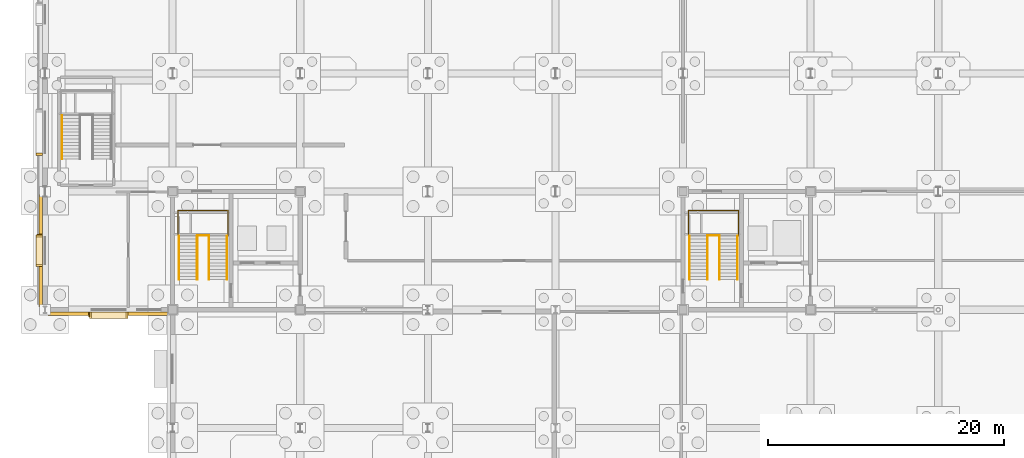
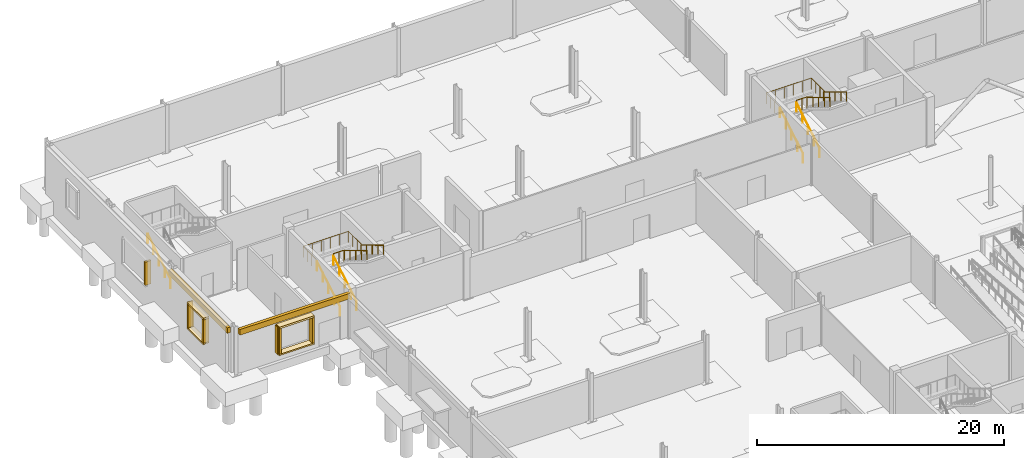
# One storey, part 68 of 73: 13 railings, 11 coverings, 2 shading devices.
"""IFC4 building model written with IfcOpenShell, lengths in metres."""

from ifc_helpers import new_model, si_unit, direction, frame, origin, origin_2d, place, context, subcontext, project, spatial, rectangle, circle, extrude, material, layer, layer_set, type_object, element, save


model = new_model("IFC4")

# Units and contexts
model_context = context("Model", 3, precision=1e-05, world=origin(), true_north=direction((0.0, 1.0)))
body_context = subcontext(model_context, "Body", "Model", "MODEL_VIEW")
ifc_project = project(units=[si_unit("LENGTHUNIT", "METRE"), si_unit("AREAUNIT", "SQUARE_METRE"), si_unit("VOLUMEUNIT", "CUBIC_METRE"), si_unit("PLANEANGLEUNIT", "RADIAN"), si_unit("MASSUNIT", "GRAM", prefix="KILO")], contexts=[model_context])

# Site, building, storey
site_placement = place(None, origin())
site = spatial("IfcSite", under=ifc_project, at=site_placement, CompositionType="ELEMENT")
building_placement = place(site_placement, origin())
building = spatial("IfcBuilding", under=site, at=building_placement, Name="Tasgan Crest Museum", CompositionType="ELEMENT")
storey_placement = place(building_placement, origin())
storey = spatial("IfcBuildingStorey", under=building, at=storey_placement, Name="L00", CompositionType="ELEMENT", Elevation=0.0)

# Coverings
ifc_material_1 = material(Name="Honed Rose-Red Mongolian Granite", Category="masonry")
ifc_layer_1 = layer(ifc_material_1, 0.0400390625, Name="COV-GRANITE-ROSE")
ifc_layer_set_1 = layer_set([ifc_layer_1], Name="Honed Rose-Red Mongolian Granite")
covering_type_1 = type_object("IfcCoveringType", Name="COV-GRANITE-ROSE", PredefinedType="CLADDING", material=ifc_layer_set_1)
for number, where, z_axis, x_axis, name in (
    (1, (-0.5, 95.159912109375, 1.0), (0.0, 0.0, 1.0), (0.0, -1.0, 0.0), "Deep window reveal jamb L00-017"),
    (2, (-0.5, 88.239990234375, 1.0), (0.0, 0.0, 1.0), (0.0, -1.0, 0.0), "Deep window reveal jamb L00-018"),
    (3, (-0.5, 85.760009765625, 1.0), (0.0, 0.0, 1.0), (0.0, -1.0, 0.0), "Deep window reveal jamb L00-018"),
):
    element("IfcCovering", number, at=place(storey_placement, frame(where, z_axis=z_axis, x_axis=x_axis)), inside=storey, type_object=covering_type_1, Name=name, PredefinedType="CLADDING", context=body_context, shape_type="SweptSolid", body=[
        extrude(rectangle(XDim=0.179931640625, YDim=0.550048828125, at=origin_2d()), origin(), (0.0, 0.0, 1.0), 2.300048828125),
    ])
for number, where, z_axis, x_axis, name in (
    (4, (3.860107421875, 81.534912109375, 1.0), (0.0, 0.0, 1.0), (1.0, 0.0, 0.0), "Deep window reveal jamb L00-019"),
    (5, (6.93994140625, 81.534912109375, 1.0), (0.0, 0.0, 1.0), (1.0, 0.0, 0.0), "Deep window reveal jamb L00-019"),
):
    element("IfcCovering", number, at=place(storey_placement, frame(where, z_axis=z_axis, x_axis=x_axis)), inside=storey, type_object=covering_type_1, Name=name, PredefinedType="CLADDING", context=body_context, shape_type="SweptSolid", body=[
        extrude(rectangle(XDim=0.179931640625, YDim=0.550048828125, at=origin_2d()), origin(), (0.0, 0.0, 1.0), 2.5),
    ])
ifc_material_2 = material(Name="Honed Buff Limestone", Category="masonry")
ifc_layer_2 = layer(ifc_material_2, 0.044921875, Name="COV-LIMESTONE-BUFF")
ifc_layer_set_2 = layer_set([ifc_layer_2], Name="Honed Buff Limestone")
covering_type_2 = type_object("IfcCoveringType", Name="COV-LIMESTONE-BUFF", PredefinedType="CLADDING", material=ifc_layer_set_2)
covering_1_placement = place(storey_placement, frame((-0.364990234375, 87.0, 3.9599609375), z_axis=(0.0, 0.0, 1.0), x_axis=(0.0, -1.0, 0.0)))
element("IfcCovering", 6, at=covering_1_placement, inside=storey, type_object=covering_type_2, Name="Stone frieze cladding L00", PredefinedType="CLADDING", context=body_context, shape_type="SweptSolid", body=[
    extrude(rectangle(XDim=9.510009765625, YDim=0.280029296875, at=origin_2d()), origin(), (0.0, 0.0, 1.0), 0.550048828125),
])
covering_2_placement = place(storey_placement, frame((-0.5, 87.0, 3.2998046875), z_axis=(0.0, 0.0, 1.0), x_axis=(0.0, -1.0, 0.0)))
element("IfcCovering", 7, at=covering_2_placement, inside=storey, type_object=covering_type_2, Name="Deep window hood L00-018", PredefinedType="CLADDING", context=body_context, shape_type="SweptSolid", body=[
    extrude(rectangle(XDim=2.659912109375, YDim=0.550048828125, at=origin_2d()), origin(), (0.0, 0.0, 1.0), 0.179931640625),
])
covering_3_placement = place(storey_placement, frame((-0.5, 87.0, 0.85986328125), z_axis=(0.0, 0.0, 1.0), x_axis=(0.0, -1.0, 0.0)))
element("IfcCovering", 8, at=covering_3_placement, inside=storey, type_object=covering_type_2, Name="Deep window sill L00-018", PredefinedType="CLADDING", context=body_context, shape_type="SweptSolid", body=[
    extrude(rectangle(XDim=2.659912109375, YDim=0.550048828125, at=origin_2d()), origin(), (0.0, 0.0, 1.0), 0.139892578125),
])
covering_4_placement = place(storey_placement, frame((5.39990234375, 81.669921875, 3.958984375), z_axis=(0.0, 0.0, 1.0), x_axis=(1.0, 0.0, 0.0)))
element("IfcCovering", 9, at=covering_4_placement, inside=storey, type_object=covering_type_2, Name="Stone frieze cladding L00", PredefinedType="CLADDING", context=body_context, shape_type="SweptSolid", body=[
    extrude(rectangle(XDim=10.31005859375, YDim=0.280029296875, at=origin_2d()), origin(), (0.0, 0.0, 1.0), 0.551025390625),
])
covering_5_placement = place(storey_placement, frame((5.39990234375, 81.534912109375, 3.5), z_axis=(0.0, 0.0, 1.0), x_axis=(1.0, 0.0, 0.0)))
element("IfcCovering", 10, at=covering_5_placement, inside=storey, type_object=covering_type_2, Name="Deep window hood L00-019", PredefinedType="CLADDING", context=body_context, shape_type="SweptSolid", body=[
    extrude(rectangle(XDim=3.260009765625, YDim=0.550048828125, at=origin_2d()), origin(), (0.0, 0.0, 1.0), 0.179931640625),
])
covering_6_placement = place(storey_placement, frame((5.39990234375, 81.534912109375, 0.85986328125), z_axis=(0.0, 0.0, 1.0), x_axis=(1.0, 0.0, 0.0)))
element("IfcCovering", 11, at=covering_6_placement, inside=storey, type_object=covering_type_2, Name="Deep window sill L00-019", PredefinedType="CLADDING", context=body_context, shape_type="SweptSolid", body=[
    extrude(rectangle(XDim=3.260009765625, YDim=0.550048828125, at=origin_2d()), origin(), (0.0, 0.0, 1.0), 0.139892578125),
])

# Railings
ifc_material_3 = material(Name="Brushed Bronze and Toughened Glass", Category="glass")
railing_type_1 = type_object("IfcRailingType", Name="RL-INT-GUARD-1120", PredefinedType="GUARDRAIL", material=ifc_material_3)
railing_1_placement = place(storey_placement, frame((12.8798828125, 88.27490234375, 2.39990234375)))
element("IfcRailing", 12, at=railing_1_placement, inside=storey, type_object=railing_type_1, Name="Stair half-landing well guard ST-NW-L00 T1", PredefinedType="GUARDRAIL", context=body_context, shape_type="SweptSolid", body=[
    extrude(circle(Radius=0.02392578125, at=origin_2d()), frame((0.0, 0.0, 1.09619140625), z_axis=(1.0, 0.0, 0.0), x_axis=(0.0, 1.0, 0.0)), (0.0, 0.0, 1.0), 0.990234375),
    extrude(circle(Radius=0.02099609375, at=origin_2d()), origin(), (0.0, 0.0, 1.0), 1.072021484375),
    extrude(circle(Radius=0.02099609375, at=origin_2d()), frame((0.4951171875, 0.0, 0.0)), (0.0, 0.0, 1.0), 1.072021484375),
    extrude(circle(Radius=0.02099609375, at=origin_2d()), frame((0.990234375, 0.0, 0.0)), (0.0, 0.0, 1.0), 1.072021484375),
])
railing_2_placement = place(storey_placement, frame((11.260009765625, 88.294921875, 2.39990234375)))
element("IfcRailing", 13, at=railing_2_placement, inside=storey, type_object=railing_type_1, Name="Stair half-landing perimeter guard ST-NW-L00 T1", PredefinedType="GUARDRAIL", context=body_context, shape_type="SweptSolid", body=[
    extrude(circle(Radius=0.02392578125, at=origin_2d()), frame((0.0, 0.0, 1.09619140625), z_axis=(0.0, 1.0, 0.0), x_axis=(-1.0, 0.0, 0.0)), (0.0, 0.0, 1.0), 2.10009765625),
    extrude(circle(Radius=0.02392578125, at=origin_2d()), frame((0.0, 2.10009765625, 1.09619140625), z_axis=(1.0, 0.0, 0.0), x_axis=(0.0, 1.0, 0.0)), (0.0, 0.0, 1.0), 4.22998046875),
    extrude(circle(Radius=0.02392578125, at=origin_2d()), frame((4.22998046875, 2.10009765625, 1.09619140625), z_axis=(0.0, -1.0, 0.0), x_axis=(1.0, 0.0, 0.0)), (0.0, 0.0, 1.0), 2.10009765625),
    extrude(circle(Radius=0.02099609375, at=origin_2d()), origin(), (0.0, 0.0, 1.0), 1.072021484375),
    extrude(circle(Radius=0.02099609375, at=origin_2d()), frame((0.0, 0.699951171875, 0.0)), (0.0, 0.0, 1.0), 1.072021484375),
    extrude(circle(Radius=0.02099609375, at=origin_2d()), frame((0.0, 1.400146484375, 0.0)), (0.0, 0.0, 1.0), 1.072021484375),
    extrude(circle(Radius=0.02099609375, at=origin_2d()), frame((0.0, 2.10009765625, 0.0)), (0.0, 0.0, 1.0), 1.072021484375),
    extrude(circle(Radius=0.02099609375, at=origin_2d()), frame((0.845947265625, 2.10009765625, 0.0)), (0.0, 0.0, 1.0), 1.072021484375),
    extrude(circle(Radius=0.02099609375, at=origin_2d()), frame((1.69189453125, 2.10009765625, 0.0)), (0.0, 0.0, 1.0), 1.072021484375),
    extrude(circle(Radius=0.02099609375, at=origin_2d()), frame((2.5380859375, 2.10009765625, 0.0)), (0.0, 0.0, 1.0), 1.072021484375),
    extrude(circle(Radius=0.02099609375, at=origin_2d()), frame((3.384033203125, 2.10009765625, 0.0)), (0.0, 0.0, 1.0), 1.072021484375),
    extrude(circle(Radius=0.02099609375, at=origin_2d()), frame((4.22998046875, 2.10009765625, 0.0)), (0.0, 0.0, 1.0), 1.072021484375),
    extrude(circle(Radius=0.02099609375, at=origin_2d()), frame((4.22998046875, 1.400146484375, 0.0)), (0.0, 0.0, 1.0), 1.072021484375),
    extrude(circle(Radius=0.02099609375, at=origin_2d()), frame((4.22998046875, 0.699951171875, 0.0)), (0.0, 0.0, 1.0), 1.072021484375),
    extrude(circle(Radius=0.02099609375, at=origin_2d()), frame((4.22998046875, 0.0, 0.0)), (0.0, 0.0, 1.0), 1.072021484375),
])
railing_3_placement = place(storey_placement, frame((56.080078125, 88.27490234375, 2.39990234375)))
element("IfcRailing", 14, at=railing_3_placement, inside=storey, type_object=railing_type_1, Name="Stair half-landing well guard ST-NC-L00 T1", PredefinedType="GUARDRAIL", context=body_context, shape_type="SweptSolid", body=[
    extrude(circle(Radius=0.02392578125, at=origin_2d()), frame((0.0, 0.0, 1.09619140625), z_axis=(1.0, 0.0, 0.0), x_axis=(0.0, 1.0, 0.0)), (0.0, 0.0, 1.0), 0.989990234375),
    extrude(circle(Radius=0.02099609375, at=origin_2d()), origin(), (0.0, 0.0, 1.0), 1.072021484375),
    extrude(circle(Radius=0.02099609375, at=origin_2d()), frame((0.4951171875, 0.0, 0.0)), (0.0, 0.0, 1.0), 1.072021484375),
    extrude(circle(Radius=0.02099609375, at=origin_2d()), frame((0.989990234375, 0.0, 0.0)), (0.0, 0.0, 1.0), 1.072021484375),
])
railing_4_placement = place(storey_placement, frame((54.4599609375, 88.294921875, 2.39990234375)))
element("IfcRailing", 15, at=railing_4_placement, inside=storey, type_object=railing_type_1, Name="Stair half-landing perimeter guard ST-NC-L00 T1", PredefinedType="GUARDRAIL", context=body_context, shape_type="SweptSolid", body=[
    extrude(circle(Radius=0.02392578125, at=origin_2d()), frame((0.0, 0.0, 1.09619140625), z_axis=(0.0, 1.0, 0.0), x_axis=(-1.0, 0.0, 0.0)), (0.0, 0.0, 1.0), 2.10009765625),
    extrude(circle(Radius=0.02392578125, at=origin_2d()), frame((0.0, 2.10009765625, 1.09619140625), z_axis=(1.0, 0.0, 0.0), x_axis=(0.0, 1.0, 0.0)), (0.0, 0.0, 1.0), 4.22998046875),
    extrude(circle(Radius=0.02392578125, at=origin_2d()), frame((4.22998046875, 2.10009765625, 1.09619140625), z_axis=(0.0, -1.0, 0.0), x_axis=(1.0, 0.0, 0.0)), (0.0, 0.0, 1.0), 2.10009765625),
    extrude(circle(Radius=0.02099609375, at=origin_2d()), origin(), (0.0, 0.0, 1.0), 1.072021484375),
    extrude(circle(Radius=0.02099609375, at=origin_2d()), frame((0.0, 0.699951171875, 0.0)), (0.0, 0.0, 1.0), 1.072021484375),
    extrude(circle(Radius=0.02099609375, at=origin_2d()), frame((0.0, 1.400146484375, 0.0)), (0.0, 0.0, 1.0), 1.072021484375),
    extrude(circle(Radius=0.02099609375, at=origin_2d()), frame((0.0, 2.10009765625, 0.0)), (0.0, 0.0, 1.0), 1.072021484375),
    extrude(circle(Radius=0.02099609375, at=origin_2d()), frame((0.845947265625, 2.10009765625, 0.0)), (0.0, 0.0, 1.0), 1.072021484375),
    extrude(circle(Radius=0.02099609375, at=origin_2d()), frame((1.69189453125, 2.10009765625, 0.0)), (0.0, 0.0, 1.0), 1.072021484375),
    extrude(circle(Radius=0.02099609375, at=origin_2d()), frame((2.5380859375, 2.10009765625, 0.0)), (0.0, 0.0, 1.0), 1.072021484375),
    extrude(circle(Radius=0.02099609375, at=origin_2d()), frame((3.384033203125, 2.10009765625, 0.0)), (0.0, 0.0, 1.0), 1.072021484375),
    extrude(circle(Radius=0.02099609375, at=origin_2d()), frame((4.22998046875, 2.10009765625, 0.0)), (0.0, 0.0, 1.0), 1.072021484375),
    extrude(circle(Radius=0.02099609375, at=origin_2d()), frame((4.22998046875, 1.400146484375, 0.0)), (0.0, 0.0, 1.0), 1.072021484375),
    extrude(circle(Radius=0.02099609375, at=origin_2d()), frame((4.22998046875, 0.699951171875, 0.0)), (0.0, 0.0, 1.0), 1.072021484375),
    extrude(circle(Radius=0.02099609375, at=origin_2d()), frame((4.22998046875, 0.0, 0.0)), (0.0, 0.0, 1.0), 1.072021484375),
])
ifc_material_4 = material(Name="Brushed Stainless Steel", Category="steel")
railing_type_2 = type_object("IfcRailingType", Name="RL-STAIR-HAND-920", PredefinedType="HANDRAIL", material=ifc_material_4)
for number, where, name in (
    (16, (11.340087890625, 84.550048828125, 0.17138671875), "Stair handrail STAIR-CORE-NW-L00-F1 L"),
    (17, (12.8798828125, 84.550048828125, 0.17138671875), "Stair handrail STAIR-CORE-NW-L00-F1 R"),
):
    element("IfcRailing", number, at=place(storey_placement, frame(where)), inside=storey, type_object=railing_type_2, Name=name, PredefinedType="HANDRAIL", context=body_context, shape_type="SweptSolid", body=[
        extrude(circle(Radius=0.02392578125, at=origin_2d()), frame((0.0, 0.0, 0.89599609375), z_axis=(0.0, 0.856919398105, 0.515450429384), x_axis=(-1.0, 0.0, 0.0)), (0.0, 0.0, 1.0), 4.323486328125),
        extrude(circle(Radius=0.02099609375, at=origin_2d()), origin(), (0.0, 0.0, 1.0), 0.871826171875),
        extrude(circle(Radius=0.02099609375, at=origin_2d()), frame((0.0, 0.92626953125, 0.55712890625)), (0.0, 0.0, 1.0), 0.871826171875),
        extrude(circle(Radius=0.02099609375, at=origin_2d()), frame((0.0, 1.8525390625, 1.1142578125)), (0.0, 0.0, 1.0), 0.871826171875),
        extrude(circle(Radius=0.02099609375, at=origin_2d()), frame((0.0, 2.778564453125, 1.67138671875)), (0.0, 0.0, 1.0), 0.871826171875),
        extrude(circle(Radius=0.02099609375, at=origin_2d()), frame((0.0, 3.704833984375, 2.228515625)), (0.0, 0.0, 1.0), 0.871826171875),
    ])
for number, where, name in (
    (18, (15.409912109375, 88.2548828125, 2.5712890625), "Stair handrail STAIR-CORE-NW-L00-F2 L"),
    (19, (13.8701171875, 88.2548828125, 2.5712890625), "Stair handrail STAIR-CORE-NW-L00-F2 R"),
):
    element("IfcRailing", number, at=place(storey_placement, frame(where)), inside=storey, type_object=railing_type_2, Name=name, PredefinedType="HANDRAIL", context=body_context, shape_type="SweptSolid", body=[
        extrude(circle(Radius=0.02392578125, at=origin_2d()), frame((0.0, 0.0, 0.89599609375), z_axis=(0.0, -0.856894455432, 0.515491893485), x_axis=(1.0, 0.0, 0.0)), (0.0, 0.0, 1.0), 4.323486328125),
        extrude(circle(Radius=0.02099609375, at=origin_2d()), origin(), (0.0, 0.0, 1.0), 0.871826171875),
        extrude(circle(Radius=0.02099609375, at=origin_2d()), frame((0.0, -0.92626953125, 0.55712890625)), (0.0, 0.0, 1.0), 0.871826171875),
        extrude(circle(Radius=0.02099609375, at=origin_2d()), frame((0.0, -1.8525390625, 1.1142578125)), (0.0, 0.0, 1.0), 0.871826171875),
        extrude(circle(Radius=0.02099609375, at=origin_2d()), frame((0.0, -2.778564453125, 1.671630859375)), (0.0, 0.0, 1.0), 0.871826171875),
        extrude(circle(Radius=0.02099609375, at=origin_2d()), frame((0.0, -3.704833984375, 2.228759765625)), (0.0, 0.0, 1.0), 0.871826171875),
    ])
for number, where, name in (
    (20, (54.5400390625, 84.550048828125, 0.17138671875), "Stair handrail STAIR-CORE-NC-L00-F1 L"),
    (21, (56.080078125, 84.550048828125, 0.17138671875), "Stair handrail STAIR-CORE-NC-L00-F1 R"),
):
    element("IfcRailing", number, at=place(storey_placement, frame(where)), inside=storey, type_object=railing_type_2, Name=name, PredefinedType="HANDRAIL", context=body_context, shape_type="SweptSolid", body=[
        extrude(circle(Radius=0.02392578125, at=origin_2d()), frame((0.0, 0.0, 0.89599609375), z_axis=(0.0, 0.856919398105, 0.515450429384), x_axis=(-1.0, 0.0, 0.0)), (0.0, 0.0, 1.0), 4.323486328125),
        extrude(circle(Radius=0.02099609375, at=origin_2d()), origin(), (0.0, 0.0, 1.0), 0.871826171875),
        extrude(circle(Radius=0.02099609375, at=origin_2d()), frame((0.0, 0.92626953125, 0.55712890625)), (0.0, 0.0, 1.0), 0.871826171875),
        extrude(circle(Radius=0.02099609375, at=origin_2d()), frame((0.0, 1.8525390625, 1.1142578125)), (0.0, 0.0, 1.0), 0.871826171875),
        extrude(circle(Radius=0.02099609375, at=origin_2d()), frame((0.0, 2.778564453125, 1.67138671875)), (0.0, 0.0, 1.0), 0.871826171875),
        extrude(circle(Radius=0.02099609375, at=origin_2d()), frame((0.0, 3.704833984375, 2.228515625)), (0.0, 0.0, 1.0), 0.871826171875),
    ])
for number, where, name in (
    (22, (58.610107421875, 88.2548828125, 2.5712890625), "Stair handrail STAIR-CORE-NC-L00-F2 L"),
    (23, (57.070068359375, 88.2548828125, 2.5712890625), "Stair handrail STAIR-CORE-NC-L00-F2 R"),
):
    element("IfcRailing", number, at=place(storey_placement, frame(where)), inside=storey, type_object=railing_type_2, Name=name, PredefinedType="HANDRAIL", context=body_context, shape_type="SweptSolid", body=[
        extrude(circle(Radius=0.02392578125, at=origin_2d()), frame((0.0, 0.0, 0.89599609375), z_axis=(0.0, -0.856894455432, 0.515491893485), x_axis=(1.0, 0.0, 0.0)), (0.0, 0.0, 1.0), 4.323486328125),
        extrude(circle(Radius=0.02099609375, at=origin_2d()), origin(), (0.0, 0.0, 1.0), 0.871826171875),
        extrude(circle(Radius=0.02099609375, at=origin_2d()), frame((0.0, -0.92626953125, 0.55712890625)), (0.0, 0.0, 1.0), 0.871826171875),
        extrude(circle(Radius=0.02099609375, at=origin_2d()), frame((0.0, -1.8525390625, 1.1142578125)), (0.0, 0.0, 1.0), 0.871826171875),
        extrude(circle(Radius=0.02099609375, at=origin_2d()), frame((0.0, -2.778564453125, 1.671630859375)), (0.0, 0.0, 1.0), 0.871826171875),
        extrude(circle(Radius=0.02099609375, at=origin_2d()), frame((0.0, -3.704833984375, 2.228759765625)), (0.0, 0.0, 1.0), 0.871826171875),
    ])
railing_5_placement = place(storey_placement, frame((1.419921875, 94.75, 0.17138671875)))
element("IfcRailing", 24, at=railing_5_placement, inside=storey, type_object=railing_type_2, Name="Stair handrail STAIR-GALW-L00-F1 L", PredefinedType="HANDRAIL", context=body_context, shape_type="SweptSolid", body=[
    extrude(circle(Radius=0.02392578125, at=origin_2d()), frame((0.0, 0.0, 0.89599609375), z_axis=(0.0, 0.856934400257, 0.515425487977), x_axis=(-1.0, 0.0, 0.0)), (0.0, 0.0, 1.0), 4.32373046875),
    extrude(circle(Radius=0.02099609375, at=origin_2d()), origin(), (0.0, 0.0, 1.0), 0.871826171875),
    extrude(circle(Radius=0.02099609375, at=origin_2d()), frame((0.0, 0.92626953125, 0.55712890625)), (0.0, 0.0, 1.0), 0.871826171875),
    extrude(circle(Radius=0.02099609375, at=origin_2d()), frame((0.0, 1.8525390625, 1.1142578125)), (0.0, 0.0, 1.0), 0.871826171875),
    extrude(circle(Radius=0.02099609375, at=origin_2d()), frame((0.0, 2.77880859375, 1.67138671875)), (0.0, 0.0, 1.0), 0.871826171875),
    extrude(circle(Radius=0.02099609375, at=origin_2d()), frame((0.0, 3.705078125, 2.228515625)), (0.0, 0.0, 1.0), 0.871826171875),
])

# Shading devices
ifc_material_5 = material(Name="Anodised Bronze Aluminium", Category="aluminium")
shading_device_type = type_object("IfcShadingDeviceType", Name="SH-FIN-V400", PredefinedType="JALOUSIE", material=ifc_material_5)
shading_device_1_placement = place(storey_placement, frame((-0.43505859375, 88.3701171875, 0.89990234375), z_axis=(0.0, 0.0, 1.0), x_axis=(0.0, -1.0, 0.0)))
element("IfcShadingDevice", 25, at=shading_device_1_placement, inside=storey, type_object=shading_device_type, Name="Solar shading fin L00-018", PredefinedType="JALOUSIE", context=body_context, shape_type="SweptSolid", body=[
    extrude(rectangle(XDim=0.080078125, YDim=0.419921875, at=origin_2d()), origin(), (0.0, 0.0, 1.0), 2.5),
])
shading_device_2_placement = place(storey_placement, frame((3.72998046875, 81.60009765625, 0.89990234375), z_axis=(0.0, 0.0, 1.0), x_axis=(1.0, 0.0, 0.0)))
element("IfcShadingDevice", 26, at=shading_device_2_placement, inside=storey, type_object=shading_device_type, Name="Solar shading fin L00-019", PredefinedType="JALOUSIE", context=body_context, shape_type="SweptSolid", body=[
    extrude(rectangle(XDim=0.080078125, YDim=0.419921875, at=origin_2d()), origin(), (0.0, 0.0, 1.0), 2.699951171875),
])

save(model, "model.ifc")
